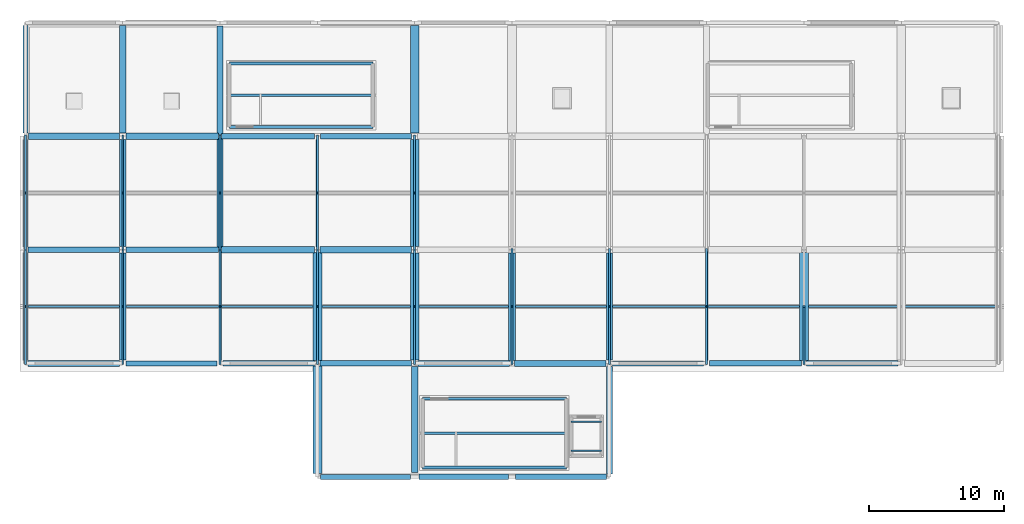
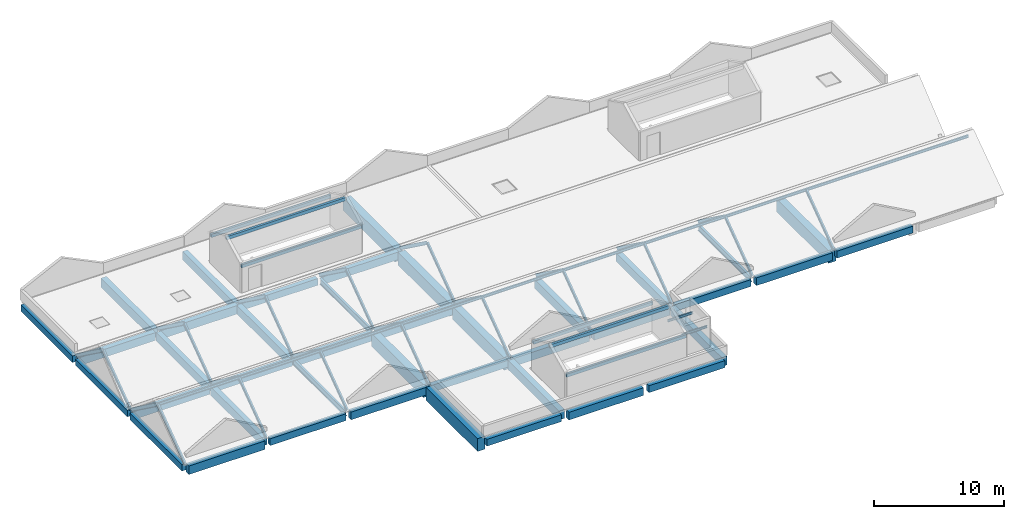
# One storey, part 1 of 5: 49 beams, 28 members.
"""IFC4 building model written with IfcOpenShell, lengths in metres."""

from ifc_helpers import new_model, si_unit, direction, frame, origin, origin_2d, place, context, subcontext, project, spatial, rectangle, i_section, extrude, material, material_profile, profile_set, type_object, element, save


model = new_model("IFC4")

# Units and contexts
model_context = context("Model", 3, precision=1e-05, world=origin(), true_north=direction((0.0, 1.0)))
body_context = subcontext(model_context, "Body", "Model", "MODEL_VIEW")
ifc_project = project(units=[si_unit("LENGTHUNIT", "METRE"), si_unit("AREAUNIT", "SQUARE_METRE"), si_unit("VOLUMEUNIT", "CUBIC_METRE"), si_unit("PLANEANGLEUNIT", "RADIAN"), si_unit("MASSUNIT", "GRAM", prefix="KILO")], contexts=[model_context])

# Site, building, storey
site_placement = place(None, origin())
site = spatial("IfcSite", under=ifc_project, at=site_placement, CompositionType="ELEMENT")
building_placement = place(site_placement, origin())
building = spatial("IfcBuilding", under=site, at=building_placement, Name="Kalluvel Institute of Natural Sciences", CompositionType="ELEMENT")
storey_placement = place(building_placement, frame((0.0, 0.0, 41.39990234375)))
storey = spatial("IfcBuildingStorey", under=building, at=storey_placement, Name="RF", CompositionType="ELEMENT", Elevation=41.39990234375)

# Beams
ifc_material_1 = material(Name="Steel E350 Grade 350", Category="steel")
ifc_material_profile_1 = material_profile(ifc_material_1, i_section(OverallWidth=0.110107421875, OverallDepth=0.22509765625, WebThickness=0.006591796875, FlangeThickness=0.01171875, FilletRadius=0.011962890625, at=origin_2d()), Name="ISMB 225")
ifc_profile_set_1 = profile_set([ifc_material_profile_1], Name="Steel E350 Grade 350")
beam_type_1 = type_object("IfcBeamType", Name="BM-ISMB225", PredefinedType="BEAM", material=ifc_profile_set_1)
for number, where, z_axis, x_axis, name in (
    (1, (54.3701171875, 96.320068359375, 1.737548828125), (1.0, 0.0, 0.0), (0.0, 1.0, 0.0), "LF8 overrun cap support beam S"),
    (2, (54.3701171875, 98.47998046875, 1.737548828125), (1.0, 0.0, 0.0), (0.0, 1.0, 0.0), "LF8 overrun cap support beam N"),
):
    element("IfcBeam", number, at=place(storey_placement, frame(where, z_axis=z_axis, x_axis=x_axis)), inside=storey, type_object=beam_type_1, Name=name, PredefinedType="BEAM", context=body_context, shape_type="SweptSolid", body=[
        extrude(i_section(OverallWidth=0.110107421875, OverallDepth=0.22509765625, WebThickness=0.006591796875, FlangeThickness=0.01171875, FilletRadius=0.011962890625, at=origin_2d()), origin(), (0.0, 0.0, 1.0), 2.259765625),
    ])
ifc_material_profile_2 = material_profile(ifc_material_1, i_section(OverallWidth=0.18994140625, OverallDepth=0.550048828125, WebThickness=0.01123046875, FlangeThickness=0.019287109375, FilletRadius=0.01806640625, at=origin_2d()), Name="ISMB 550")
ifc_profile_set_2 = profile_set([ifc_material_profile_2], Name="Steel E350 Grade 350")
beam_type_2 = type_object("IfcBeamType", Name="BM-ISMB550", PredefinedType="BEAM", material=ifc_profile_set_2)
beam_1_placement = place(storey_placement, frame((28.39990234375, 103.02490234375, -0.594970703125), z_axis=(0.0, 1.0, 0.0), x_axis=(-1.0, 0.0, 0.0)))
element("IfcBeam", 3, at=beam_1_placement, inside=storey, type_object=beam_type_2, Name="RF girder GIR-RF-NS-X284-Y1028", PredefinedType="BEAM", context=body_context, shape_type="SweptSolid", body=[
    extrude(i_section(OverallWidth=0.18994140625, OverallDepth=0.550048828125, WebThickness=0.01123046875, FlangeThickness=0.019287109375, FilletRadius=0.01806640625, at=origin_2d()), origin(), (0.0, 0.0, 1.0), 8.050048828125),
])
beam_2_placement = place(storey_placement, frame((35.60009765625, 111.39990234375, -0.594970703125), z_axis=(0.0, 1.0, 0.0), x_axis=(-1.0, 0.0, 0.0)))
element("IfcBeam", 4, at=beam_2_placement, inside=storey, type_object=beam_type_2, Name="RF girder GIR-RF-NS-X356-Y1112", PredefinedType="BEAM", context=body_context, shape_type="SweptSolid", body=[
    extrude(i_section(OverallWidth=0.18994140625, OverallDepth=0.550048828125, WebThickness=0.01123046875, FlangeThickness=0.019287109375, FilletRadius=0.01806640625, at=origin_2d()), origin(), (0.0, 0.0, 1.0), 7.97509765625),
])
beam_3_placement = place(storey_placement, frame((64.39990234375, 103.02490234375, -0.594970703125), z_axis=(0.0, 1.0, 0.0), x_axis=(-1.0, 0.0, 0.0)))
element("IfcBeam", 5, at=beam_3_placement, inside=storey, type_object=beam_type_2, Name="RF girder GIR-RF-NS-X644-Y1028", PredefinedType="BEAM", context=body_context, shape_type="SweptSolid", body=[
    extrude(i_section(OverallWidth=0.18994140625, OverallDepth=0.550048828125, WebThickness=0.01123046875, FlangeThickness=0.019287109375, FilletRadius=0.01806640625, at=origin_2d()), origin(), (0.0, 0.0, 1.0), 8.050048828125),
])
ifc_material_2 = material(Name="Concrete M40", Category="concrete")
ifc_material_profile_3 = material_profile(ifc_material_2, rectangle(XDim=0.3798828125, YDim=0.639892578125, at=origin_2d()), Name="RCB 380x640")
ifc_profile_set_3 = profile_set([ifc_material_profile_3], Name="Concrete M40")
beam_type_3 = type_object("IfcBeamType", Name="BM-RC380x640", PredefinedType="BEAM", material=ifc_profile_set_3)
beam_4_placement = place(storey_placement, frame((35.85009765625, 94.39990234375, -0.639892578125), z_axis=(1.0, 0.0, 0.0), x_axis=(0.0, 1.0, 0.0)))
element("IfcBeam", 6, at=beam_4_placement, inside=storey, type_object=beam_type_3, Name="RF girder GIR-RF-EW-X356-Y944", PredefinedType="BEAM", context=body_context, shape_type="SweptSolid", body=[
    extrude(rectangle(XDim=0.3798828125, YDim=0.639892578125, at=origin_2d()), origin(), (0.0, 0.0, 1.0), 6.625),
])
for number, where, z_axis, x_axis, name in (
    (7, (21.449951171875, 102.800048828125, -0.639892578125), (1.0, 0.0, 0.0), (0.0, 1.0, 0.0), "RF girder GIR-RF-EW-X212-Y1028"),
    (8, (57.449951171875, 102.800048828125, -0.639892578125), (1.0, 0.0, 0.0), (0.0, 1.0, 0.0), "RF girder GIR-RF-EW-X572-Y1028"),
):
    element("IfcBeam", number, at=place(storey_placement, frame(where, z_axis=z_axis, x_axis=x_axis)), inside=storey, type_object=beam_type_3, Name=name, PredefinedType="BEAM", context=body_context, shape_type="SweptSolid", body=[
        extrude(rectangle(XDim=0.3798828125, YDim=0.639892578125, at=origin_2d()), origin(), (0.0, 0.0, 1.0), 6.72509765625),
    ])
beam_5_placement = place(storey_placement, frame((28.52490234375, 119.60009765625, -0.639892578125), z_axis=(1.0, 0.0, 0.0), x_axis=(0.0, 1.0, 0.0)))
element("IfcBeam", 9, at=beam_5_placement, inside=storey, type_object=beam_type_3, Name="RF girder GIR-RF-EW-X284-Y1196", PredefinedType="BEAM", context=body_context, shape_type="SweptSolid", body=[
    extrude(rectangle(XDim=0.3798828125, YDim=0.639892578125, at=origin_2d()), origin(), (0.0, 0.0, 1.0), 6.85009765625),
])
ifc_material_profile_4 = material_profile(ifc_material_2, rectangle(XDim=0.39990234375, YDim=0.64990234375, at=origin_2d()), Name="RCB 400x650")
ifc_profile_set_4 = profile_set([ifc_material_profile_4], Name="Concrete M40")
beam_type_4 = type_object("IfcBeamType", Name="BM-RC400x650", PredefinedType="BEAM", material=ifc_profile_set_4)
beam_6_placement = place(storey_placement, frame((50.25, 94.39990234375, -0.64501953125), z_axis=(1.0, 0.0, 0.0), x_axis=(0.0, 1.0, 0.0)))
element("IfcBeam", 10, at=beam_6_placement, inside=storey, type_object=beam_type_4, Name="RF girder GIR-RF-EW-X500-Y944", PredefinedType="BEAM", context=body_context, shape_type="SweptSolid", body=[
    extrude(rectangle(XDim=0.39990234375, YDim=0.64990234375, at=origin_2d()), origin(), (0.0, 0.0, 1.0), 6.72509765625),
])
for number, where, z_axis, x_axis, name in (
    (11, (35.800048828125, 102.800048828125, -0.64501953125), (1.0, 0.0, 0.0), (0.0, 1.0, 0.0), "RF girder GIR-RF-EW-X356-Y1028"),
    (12, (71.800048828125, 102.800048828125, -0.64501953125), (1.0, 0.0, 0.0), (0.0, 1.0, 0.0), "RF girder GIR-RF-EW-X716-Y1028"),
):
    element("IfcBeam", number, at=place(storey_placement, frame(where, z_axis=z_axis, x_axis=x_axis)), inside=storey, type_object=beam_type_4, Name=name, PredefinedType="BEAM", context=body_context, shape_type="SweptSolid", body=[
        extrude(rectangle(XDim=0.39990234375, YDim=0.64990234375, at=origin_2d()), origin(), (0.0, 0.0, 1.0), 6.75),
    ])
beam_7_placement = place(storey_placement, frame((21.449951171875, 111.199951171875, -0.64501953125), z_axis=(1.0, 0.0, 0.0), x_axis=(0.0, 1.0, 0.0)))
element("IfcBeam", 13, at=beam_7_placement, inside=storey, type_object=beam_type_4, Name="RF girder GIR-RF-EW-X212-Y1112", PredefinedType="BEAM", context=body_context, shape_type="SweptSolid", body=[
    extrude(rectangle(XDim=0.39990234375, YDim=0.64990234375, at=origin_2d()), origin(), (0.0, 0.0, 1.0), 6.824951171875),
])
ifc_material_profile_5 = material_profile(ifc_material_2, rectangle(XDim=0.419921875, YDim=0.719970703125, at=origin_2d()), Name="RCB 420x720")
ifc_profile_set_5 = profile_set([ifc_material_profile_5], Name="Concrete M40")
beam_type_5 = type_object("IfcBeamType", Name="BM-RC420x720", PredefinedType="BEAM", material=ifc_profile_set_5)
beam_8_placement = place(storey_placement, frame((43.125, 94.39990234375, -0.679931640625), z_axis=(1.0, 0.0, 0.0), x_axis=(0.0, 1.0, 0.0)))
element("IfcBeam", 14, at=beam_8_placement, inside=storey, type_object=beam_type_5, Name="RF girder GIR-RF-EW-X428-Y944", PredefinedType="BEAM", context=body_context, shape_type="SweptSolid", body=[
    extrude(rectangle(XDim=0.419921875, YDim=0.719970703125, at=origin_2d()), origin(), (0.0, 0.0, 1.0), 6.625),
])
for number, where, z_axis, x_axis, name in (
    (15, (28.625, 102.800048828125, -0.679931640625), (1.0, 0.0, 0.0), (0.0, 1.0, 0.0), "RF girder GIR-RF-EW-X284-Y1028"),
    (16, (64.625, 102.800048828125, -0.679931640625), (1.0, 0.0, 0.0), (0.0, 1.0, 0.0), "RF girder GIR-RF-EW-X644-Y1028"),
):
    element("IfcBeam", number, at=place(storey_placement, frame(where, z_axis=z_axis, x_axis=x_axis)), inside=storey, type_object=beam_type_5, Name=name, PredefinedType="BEAM", context=body_context, shape_type="SweptSolid", body=[
        extrude(rectangle(XDim=0.419921875, YDim=0.719970703125, at=origin_2d()), origin(), (0.0, 0.0, 1.0), 6.77490234375),
    ])
for number, where, z_axis, x_axis, name in (
    (17, (14.199951171875, 111.199951171875, -0.679931640625), (1.0, 0.0, 0.0), (0.0, 1.0, 0.0), "RF girder GIR-RF-EW-X140-Y1112"),
    (18, (35.824951171875, 119.60009765625, -0.679931640625), (1.0, 0.0, 0.0), (0.0, 1.0, 0.0), "RF girder GIR-RF-EW-X356-Y1196"),
):
    element("IfcBeam", number, at=place(storey_placement, frame(where, z_axis=z_axis, x_axis=x_axis)), inside=storey, type_object=beam_type_5, Name=name, PredefinedType="BEAM", context=body_context, shape_type="SweptSolid", body=[
        extrude(rectangle(XDim=0.419921875, YDim=0.719970703125, at=origin_2d()), origin(), (0.0, 0.0, 1.0), 6.75),
    ])
ifc_material_profile_6 = material_profile(ifc_material_2, rectangle(XDim=0.449951171875, YDim=0.75, at=origin_2d()), Name="RCB 450x750")
ifc_profile_set_6 = profile_set([ifc_material_profile_6], Name="Concrete M40")
beam_type_6 = type_object("IfcBeamType", Name="BM-RC450x750", PredefinedType="BEAM", material=ifc_profile_set_6)
beam_9_placement = place(storey_placement, frame((43.050048828125, 102.800048828125, -0.69482421875), z_axis=(1.0, 0.0, 0.0), x_axis=(0.0, 1.0, 0.0)))
element("IfcBeam", 19, at=beam_9_placement, inside=storey, type_object=beam_type_6, Name="RF girder GIR-RF-EW-X428-Y1028", PredefinedType="BEAM", context=body_context, shape_type="SweptSolid", body=[
    extrude(rectangle(XDim=0.449951171875, YDim=0.75, at=origin_2d()), origin(), (0.0, 0.0, 1.0), 6.75),
])
beam_10_placement = place(storey_placement, frame((28.52490234375, 111.199951171875, -0.69482421875), z_axis=(1.0, 0.0, 0.0), x_axis=(0.0, 1.0, 0.0)))
element("IfcBeam", 20, at=beam_10_placement, inside=storey, type_object=beam_type_6, Name="RF girder GIR-RF-EW-X284-Y1112", PredefinedType="BEAM", context=body_context, shape_type="SweptSolid", body=[
    extrude(rectangle(XDim=0.449951171875, YDim=0.75, at=origin_2d()), origin(), (0.0, 0.0, 1.0), 6.875),
])
beam_11_placement = place(storey_placement, frame((14.22509765625, 119.60009765625, -0.69482421875), z_axis=(1.0, 0.0, 0.0), x_axis=(0.0, 1.0, 0.0)))
element("IfcBeam", 21, at=beam_11_placement, inside=storey, type_object=beam_type_6, Name="RF girder GIR-RF-EW-X140-Y1196", PredefinedType="BEAM", context=body_context, shape_type="SweptSolid", body=[
    extrude(rectangle(XDim=0.449951171875, YDim=0.75, at=origin_2d()), origin(), (0.0, 0.0, 1.0), 6.724853515625),
])
ifc_material_profile_7 = material_profile(ifc_material_2, rectangle(XDim=0.449951171875, YDim=0.800048828125, at=origin_2d()), Name="RCB 450x800")
ifc_profile_set_7 = profile_set([ifc_material_profile_7], Name="Concrete M40")
beam_type_7 = type_object("IfcBeamType", Name="BM-RC450x800", PredefinedType="BEAM", material=ifc_profile_set_7)
for number, where, z_axis, x_axis, name in (
    (22, (14.199951171875, 102.800048828125, -0.719970703125), (1.0, 0.0, 0.0), (0.0, 1.0, 0.0), "RF girder GIR-RF-EW-X140-Y1028"),
    (23, (50.199951171875, 102.800048828125, -0.719970703125), (1.0, 0.0, 0.0), (0.0, 1.0, 0.0), "RF girder GIR-RF-EW-X500-Y1028"),
):
    element("IfcBeam", number, at=place(storey_placement, frame(where, z_axis=z_axis, x_axis=x_axis)), inside=storey, type_object=beam_type_7, Name=name, PredefinedType="BEAM", context=body_context, shape_type="SweptSolid", body=[
        extrude(rectangle(XDim=0.449951171875, YDim=0.800048828125, at=origin_2d()), origin(), (0.0, 0.0, 1.0), 6.75),
    ])
beam_12_placement = place(storey_placement, frame((35.800048828125, 111.199951171875, -0.719970703125), z_axis=(1.0, 0.0, 0.0), x_axis=(0.0, 1.0, 0.0)))
element("IfcBeam", 24, at=beam_12_placement, inside=storey, type_object=beam_type_7, Name="RF girder GIR-RF-EW-X356-Y1112", PredefinedType="BEAM", context=body_context, shape_type="SweptSolid", body=[
    extrude(rectangle(XDim=0.449951171875, YDim=0.800048828125, at=origin_2d()), origin(), (0.0, 0.0, 1.0), 6.77490234375),
])
beam_13_placement = place(storey_placement, frame((21.449951171875, 119.60009765625, -0.719970703125), z_axis=(1.0, 0.0, 0.0), x_axis=(0.0, 1.0, 0.0)))
element("IfcBeam", 25, at=beam_13_placement, inside=storey, type_object=beam_type_7, Name="RF girder GIR-RF-EW-X212-Y1196", PredefinedType="BEAM", context=body_context, shape_type="SweptSolid", body=[
    extrude(rectangle(XDim=0.449951171875, YDim=0.800048828125, at=origin_2d()), origin(), (0.0, 0.0, 1.0), 6.824951171875),
])
beam_14_placement = place(storey_placement, frame((21.199951171875, 103.050048828125, -0.719970703125), z_axis=(0.0, 1.0, 0.0), x_axis=(-1.0, 0.0, 0.0)))
element("IfcBeam", 26, at=beam_14_placement, inside=storey, type_object=beam_type_7, Name="RF girder GIR-RF-NS-X212-Y1028", PredefinedType="BEAM", context=body_context, shape_type="SweptSolid", body=[
    extrude(rectangle(XDim=0.449951171875, YDim=0.800048828125, at=origin_2d()), origin(), (0.0, 0.0, 1.0), 7.89990234375),
])
beam_15_placement = place(storey_placement, frame((21.199951171875, 111.449951171875, -0.719970703125), z_axis=(0.0, 1.0, 0.0), x_axis=(-1.0, 0.0, 0.0)))
element("IfcBeam", 27, at=beam_15_placement, inside=storey, type_object=beam_type_7, Name="RF girder GIR-RF-NS-X212-Y1112", PredefinedType="BEAM", context=body_context, shape_type="SweptSolid", body=[
    extrude(rectangle(XDim=0.449951171875, YDim=0.800048828125, at=origin_2d()), origin(), (0.0, 0.0, 1.0), 7.900146484375),
])
beam_16_placement = place(storey_placement, frame((28.39990234375, 111.324951171875, -0.719970703125), z_axis=(0.0, 1.0, 0.0), x_axis=(-1.0, 0.0, 0.0)))
element("IfcBeam", 28, at=beam_16_placement, inside=storey, type_object=beam_type_7, Name="RF girder GIR-RF-NS-X284-Y1112", PredefinedType="BEAM", context=body_context, shape_type="SweptSolid", body=[
    extrude(rectangle(XDim=0.449951171875, YDim=0.800048828125, at=origin_2d()), origin(), (0.0, 0.0, 1.0), 8.150146484375),
])
beam_17_placement = place(storey_placement, frame((28.39990234375, 119.72509765625, -0.719970703125), z_axis=(0.0, 1.0, 0.0), x_axis=(-1.0, 0.0, 0.0)))
element("IfcBeam", 29, at=beam_17_placement, inside=storey, type_object=beam_type_7, Name="RF girder GIR-RF-NS-X284-Y1196", PredefinedType="BEAM", context=body_context, shape_type="SweptSolid", body=[
    extrude(rectangle(XDim=0.449951171875, YDim=0.800048828125, at=origin_2d()), origin(), (0.0, 0.0, 1.0), 8.02490234375),
])
beam_18_placement = place(storey_placement, frame((57.199951171875, 94.625, -0.719970703125), z_axis=(0.0, 1.0, 0.0), x_axis=(-1.0, 0.0, 0.0)))
element("IfcBeam", 30, at=beam_18_placement, inside=storey, type_object=beam_type_7, Name="RF girder GIR-RF-NS-X572-Y944", PredefinedType="BEAM", context=body_context, shape_type="SweptSolid", body=[
    extrude(rectangle(XDim=0.449951171875, YDim=0.800048828125, at=origin_2d()), origin(), (0.0, 0.0, 1.0), 7.925048828125),
])
beam_19_placement = place(storey_placement, frame((57.199951171875, 103.050048828125, -0.719970703125), z_axis=(0.0, 1.0, 0.0), x_axis=(-1.0, 0.0, 0.0)))
element("IfcBeam", 31, at=beam_19_placement, inside=storey, type_object=beam_type_7, Name="RF girder GIR-RF-NS-X572-Y1028", PredefinedType="BEAM", context=body_context, shape_type="SweptSolid", body=[
    extrude(rectangle(XDim=0.449951171875, YDim=0.800048828125, at=origin_2d()), origin(), (0.0, 0.0, 1.0), 7.89990234375),
])
ifc_material_3 = material(Name="Concrete M50", Category="concrete")
ifc_material_profile_8 = material_profile(ifc_material_3, rectangle(XDim=0.5, YDim=0.85009765625, at=origin_2d()), Name="RCB 500x850")
ifc_profile_set_8 = profile_set([ifc_material_profile_8], Name="Concrete M50")
beam_type_8 = type_object("IfcBeamType", Name="BM-RC500x850", PredefinedType="BEAM", material=ifc_profile_set_8)
beam_20_placement = place(storey_placement, frame((21.199951171875, 119.85009765625, -0.744873046875), z_axis=(0.0, 1.0, 0.0), x_axis=(-1.0, 0.0, 0.0)))
element("IfcBeam", 32, at=beam_20_placement, inside=storey, type_object=beam_type_8, Name="RF girder GIR-RF-NS-X212-Y1196", PredefinedType="BEAM", context=body_context, shape_type="SweptSolid", body=[
    extrude(rectangle(XDim=0.5, YDim=0.85009765625, at=origin_2d()), origin(), (0.0, 0.0, 1.0), 7.949951171875),
])
beam_21_placement = place(storey_placement, frame((42.800048828125, 94.72509765625, -0.744873046875), z_axis=(0.0, 1.0, 0.0), x_axis=(-1.0, 0.0, 0.0)))
element("IfcBeam", 33, at=beam_21_placement, inside=storey, type_object=beam_type_8, Name="RF girder GIR-RF-NS-X428-Y944", PredefinedType="BEAM", context=body_context, shape_type="SweptSolid", body=[
    extrude(rectangle(XDim=0.5, YDim=0.85009765625, at=origin_2d()), origin(), (0.0, 0.0, 1.0), 7.824951171875),
])
beam_22_placement = place(storey_placement, frame((50.0, 103.0, -0.744873046875), z_axis=(0.0, 1.0, 0.0), x_axis=(-1.0, 0.0, 0.0)))
element("IfcBeam", 34, at=beam_22_placement, inside=storey, type_object=beam_type_8, Name="RF girder GIR-RF-NS-X500-Y1028", PredefinedType="BEAM", context=body_context, shape_type="SweptSolid", body=[
    extrude(rectangle(XDim=0.5, YDim=0.85009765625, at=origin_2d()), origin(), (0.0, 0.0, 1.0), 7.97509765625),
])
ifc_material_profile_9 = material_profile(ifc_material_3, rectangle(XDim=0.64990234375, YDim=1.199951171875, at=origin_2d()), Name="RCB 650x1200")
ifc_profile_set_9 = profile_set([ifc_material_profile_9], Name="Concrete M50")
beam_type_9 = type_object("IfcBeamType", Name="BM-RC650x1200", PredefinedType="BEAM", material=ifc_profile_set_9)
beam_23_placement = place(storey_placement, frame((35.60009765625, 94.64990234375, -0.919921875), z_axis=(0.0, 1.0, 0.0), x_axis=(-1.0, 0.0, 0.0)))
element("IfcBeam", 35, at=beam_23_placement, inside=storey, type_object=beam_type_9, Name="RF girder GIR-RF-NS-X356-Y944", PredefinedType="BEAM", context=body_context, shape_type="SweptSolid", body=[
    extrude(rectangle(XDim=0.64990234375, YDim=1.199951171875, at=origin_2d()), origin(), (0.0, 0.0, 1.0), 7.9501953125),
])
beam_24_placement = place(storey_placement, frame((35.60009765625, 103.0, -0.919921875), z_axis=(0.0, 1.0, 0.0), x_axis=(-1.0, 0.0, 0.0)))
element("IfcBeam", 36, at=beam_24_placement, inside=storey, type_object=beam_type_9, Name="RF girder GIR-RF-NS-X356-Y1028", PredefinedType="BEAM", context=body_context, shape_type="SweptSolid", body=[
    extrude(rectangle(XDim=0.64990234375, YDim=1.199951171875, at=origin_2d()), origin(), (0.0, 0.0, 1.0), 8.0),
])
beam_25_placement = place(storey_placement, frame((42.800048828125, 103.050048828125, -0.919921875), z_axis=(0.0, 1.0, 0.0), x_axis=(-1.0, 0.0, 0.0)))
element("IfcBeam", 37, at=beam_25_placement, inside=storey, type_object=beam_type_9, Name="RF girder GIR-RF-NS-X428-Y1028", PredefinedType="BEAM", context=body_context, shape_type="SweptSolid", body=[
    extrude(rectangle(XDim=0.64990234375, YDim=1.199951171875, at=origin_2d()), origin(), (0.0, 0.0, 1.0), 7.925048828125),
])
beam_26_placement = place(storey_placement, frame((42.800048828125, 111.425048828125, -0.919921875), z_axis=(0.0, 1.0, 0.0), x_axis=(-1.0, 0.0, 0.0)))
element("IfcBeam", 38, at=beam_26_placement, inside=storey, type_object=beam_type_9, Name="RF girder GIR-RF-NS-X428-Y1112", PredefinedType="BEAM", context=body_context, shape_type="SweptSolid", body=[
    extrude(rectangle(XDim=0.64990234375, YDim=1.199951171875, at=origin_2d()), origin(), (0.0, 0.0, 1.0), 7.949951171875),
])
beam_27_placement = place(storey_placement, frame((42.800048828125, 119.824951171875, -0.919921875), z_axis=(0.0, 1.0, 0.0), x_axis=(-1.0, 0.0, 0.0)))
element("IfcBeam", 39, at=beam_27_placement, inside=storey, type_object=beam_type_9, Name="RF girder GIR-RF-NS-X428-Y1196", PredefinedType="BEAM", context=body_context, shape_type="SweptSolid", body=[
    extrude(rectangle(XDim=0.64990234375, YDim=1.199951171875, at=origin_2d()), origin(), (0.0, 0.0, 1.0), 7.97509765625),
])
beam_28_placement = place(storey_placement, frame((71.60009765625, 103.0, -0.919921875), z_axis=(0.0, 1.0, 0.0), x_axis=(-1.0, 0.0, 0.0)))
element("IfcBeam", 40, at=beam_28_placement, inside=storey, type_object=beam_type_9, Name="RF girder GIR-RF-NS-X716-Y1028", PredefinedType="BEAM", context=body_context, shape_type="SweptSolid", body=[
    extrude(rectangle(XDim=0.64990234375, YDim=1.199951171875, at=origin_2d()), origin(), (0.0, 0.0, 1.0), 8.0),
])
ifc_material_4 = material(Name="Sadarahalli Granite Precast Concrete M45", Category="masonry")
ifc_material_profile_10 = material_profile(ifc_material_4, rectangle(XDim=0.199951171875, YDim=0.300048828125, at=origin_2d()), Name="LIN 200x300")
ifc_profile_set_10 = profile_set([ifc_material_profile_10], Name="Sadarahalli Granite Precast Concrete M45")
beam_type_10 = type_object("IfcBeamType", Name="LN-200x300-INT", PredefinedType="LINTEL", material=ifc_profile_set_10)
for number, where, z_axis, x_axis, name in (
    (41, (29.0849609375, 122.635009765625, 3.739990234375), (1.0, 0.0, 0.0), (0.0, 1.0, 0.0), "ST1 headhouse ridge beam"),
    (42, (29.0849609375, 120.284912109375, 2.5400390625), (1.0, 0.0, 0.0), (0.0, 1.0, 0.0), "ST1 headhouse S eave beam"),
    (43, (29.0849609375, 124.985107421875, 2.5400390625), (1.0, 0.0, 0.0), (0.0, 1.0, 0.0), "ST1 headhouse N eave beam"),
):
    element("IfcBeam", number, at=place(storey_placement, frame(where, z_axis=z_axis, x_axis=x_axis)), inside=storey, type_object=beam_type_10, Name=name, PredefinedType="LINTEL", context=body_context, shape_type="SweptSolid", body=[
        extrude(rectangle(XDim=0.199951171875, YDim=0.300048828125, at=origin_2d()), origin(), (0.0, 0.0, 1.0), 10.630126953125),
    ])
for number, where, z_axis, x_axis, name in (
    (44, (43.385009765625, 97.635009765625, 3.739990234375), (1.0, 0.0, 0.0), (0.0, 1.0, 0.0), "ST3 headhouse ridge beam"),
    (45, (43.385009765625, 95.0849609375, 2.5400390625), (1.0, 0.0, 0.0), (0.0, 1.0, 0.0), "ST3 headhouse S eave beam"),
    (46, (43.385009765625, 100.18505859375, 2.5400390625), (1.0, 0.0, 0.0), (0.0, 1.0, 0.0), "ST3 headhouse N eave beam"),
):
    element("IfcBeam", number, at=place(storey_placement, frame(where, z_axis=z_axis, x_axis=x_axis)), inside=storey, type_object=beam_type_10, Name=name, PredefinedType="LINTEL", context=body_context, shape_type="SweptSolid", body=[
        extrude(rectangle(XDim=0.199951171875, YDim=0.300048828125, at=origin_2d()), origin(), (0.0, 0.0, 1.0), 10.6298828125),
    ])

# Members
ifc_material_profile_11 = material_profile(ifc_material_1, i_section(OverallWidth=0.125, OverallDepth=0.25, WebThickness=0.0068359375, FlangeThickness=0.012451171875, FilletRadius=0.012939453125, at=origin_2d()), Name="ISMB 250")
ifc_profile_set_11 = profile_set([ifc_material_profile_11], Name="Steel E350 Grade 350")
member_type_1 = type_object("IfcMemberType", Name="MB-PURL-ATTIC", PredefinedType="PURLIN", material=ifc_profile_set_11)
member_1_placement = place(storey_placement, frame((14.0, 107.0, 2.8701171875), z_axis=(1.0, 0.0, 0.0), x_axis=(0.0, 1.0, 0.0)))
element("IfcMember", 47, at=member_1_placement, inside=storey, type_object=member_type_1, Name="Wet Wing Gothic roof ridge purlin 1", PredefinedType="PURLIN", context=body_context, shape_type="SweptSolid", body=[
    extrude(i_section(OverallWidth=0.125, OverallDepth=0.25, WebThickness=0.0068359375, FlangeThickness=0.012451171875, FilletRadius=0.012939453125, at=origin_2d()), origin(), (0.0, 0.0, 1.0), 72.0),
])
ifc_material_profile_12 = material_profile(ifc_material_1, i_section(OverallWidth=0.139892578125, OverallDepth=0.300048828125, WebThickness=0.0078125, FlangeThickness=0.01318359375, FilletRadius=0.013916015625, at=origin_2d()), Name="ISMB 300")
ifc_profile_set_12 = profile_set([ifc_material_profile_12], Name="Steel E350 Grade 350")
member_type_2 = type_object("IfcMemberType", Name="MB-RAFT-ISMB300", PredefinedType="RAFTER", material=ifc_profile_set_12)
for number, where, z_axis, x_axis, name in (
    (48, (14.0, 102.800048828125, -0.179931640625), (0.0, 0.809144712888, 0.587609422665), (-1.0, 0.0, 0.0), "Wet Wing Gothic roof south rafter 1.1"),
    (49, (14.0, 111.199951171875, -0.179931640625), (0.0, -0.809144712888, 0.587609422665), (1.0, 0.0, 0.0), "Wet Wing Gothic roof north rafter 1.1"),
    (50, (21.199951171875, 102.800048828125, -0.179931640625), (0.0, 0.809144712888, 0.587609422665), (-1.0, 0.0, 0.0), "Wet Wing Gothic roof south rafter 1.2"),
    (51, (21.199951171875, 111.199951171875, -0.179931640625), (0.0, -0.809144712888, 0.587609422665), (1.0, 0.0, 0.0), "Wet Wing Gothic roof north rafter 1.2"),
    (52, (28.39990234375, 102.800048828125, -0.179931640625), (0.0, 0.809144712888, 0.587609422665), (-1.0, 0.0, 0.0), "Wet Wing Gothic roof south rafter 1.3"),
    (53, (28.39990234375, 111.199951171875, -0.179931640625), (0.0, -0.809144712888, 0.587609422665), (1.0, 0.0, 0.0), "Wet Wing Gothic roof north rafter 1.3"),
    (54, (35.60009765625, 102.800048828125, -0.179931640625), (0.0, 0.809144712888, 0.587609422665), (-1.0, 0.0, 0.0), "Wet Wing Gothic roof south rafter 1.4"),
    (55, (35.60009765625, 111.199951171875, -0.179931640625), (0.0, -0.809144712888, 0.587609422665), (1.0, 0.0, 0.0), "Wet Wing Gothic roof north rafter 1.4"),
    (56, (42.800048828125, 102.800048828125, -0.179931640625), (0.0, 0.809144712888, 0.587609422665), (-1.0, 0.0, 0.0), "Wet Wing Gothic roof south rafter 1.5"),
    (57, (42.800048828125, 111.199951171875, -0.179931640625), (0.0, -0.809144712888, 0.587609422665), (1.0, 0.0, 0.0), "Wet Wing Gothic roof north rafter 1.5"),
    (58, (50.0, 102.800048828125, -0.179931640625), (0.0, 0.809144712888, 0.587609422665), (-1.0, 0.0, 0.0), "Wet Wing Gothic roof south rafter 1.6"),
    (59, (50.0, 111.199951171875, -0.179931640625), (0.0, -0.809144712888, 0.587609422665), (1.0, 0.0, 0.0), "Wet Wing Gothic roof north rafter 1.6"),
    (60, (57.199951171875, 102.800048828125, -0.179931640625), (0.0, 0.809144712888, 0.587609422665), (-1.0, 0.0, 0.0), "Wet Wing Gothic roof south rafter 1.7"),
    (61, (57.199951171875, 111.199951171875, -0.179931640625), (0.0, -0.809144712888, 0.587609422665), (1.0, 0.0, 0.0), "Wet Wing Gothic roof north rafter 1.7"),
    (62, (64.39990234375, 102.800048828125, -0.179931640625), (0.0, 0.809144712888, 0.587609422665), (-1.0, 0.0, 0.0), "Wet Wing Gothic roof south rafter 1.8"),
    (63, (64.39990234375, 111.199951171875, -0.179931640625), (0.0, -0.809144712888, 0.587609422665), (1.0, 0.0, 0.0), "Wet Wing Gothic roof north rafter 1.8"),
    (64, (71.60009765625, 102.800048828125, -0.179931640625), (0.0, 0.809144712888, 0.587609422665), (-1.0, 0.0, 0.0), "Wet Wing Gothic roof south rafter 1.9"),
    (65, (14.0, 111.199951171875, -0.179931640625), (0.0, 0.809144712888, 0.587609422665), (-1.0, 0.0, 0.0), "Wet Wing Gothic roof south rafter 2.1"),
):
    element("IfcMember", number, at=place(storey_placement, frame(where, z_axis=z_axis, x_axis=x_axis)), inside=storey, type_object=member_type_2, Name=name, PredefinedType="RAFTER", context=body_context, shape_type="SweptSolid", body=[
        extrude(i_section(OverallWidth=0.139892578125, OverallDepth=0.300048828125, WebThickness=0.0078125, FlangeThickness=0.01318359375, FilletRadius=0.013916015625, at=origin_2d()), origin(), (0.0, 0.0, 1.0), 5.190673828125),
    ])
member_2_placement = place(storey_placement, frame((14.0, 119.60009765625, -0.179931640625), z_axis=(0.0, -0.809160952466, 0.587587059937), x_axis=(1.0, 0.0, 0.0)))
element("IfcMember", 66, at=member_2_placement, inside=storey, type_object=member_type_2, Name="Wet Wing Gothic roof north rafter 2.1", PredefinedType="RAFTER", context=body_context, shape_type="SweptSolid", body=[
    extrude(i_section(OverallWidth=0.139892578125, OverallDepth=0.300048828125, WebThickness=0.0078125, FlangeThickness=0.01318359375, FilletRadius=0.013916015625, at=origin_2d()), origin(), (0.0, 0.0, 1.0), 5.19091796875),
])
member_3_placement = place(storey_placement, frame((21.199951171875, 111.199951171875, -0.179931640625), z_axis=(0.0, 0.809144712888, 0.587609422665), x_axis=(-1.0, 0.0, 0.0)))
element("IfcMember", 67, at=member_3_placement, inside=storey, type_object=member_type_2, Name="Wet Wing Gothic roof south rafter 2.2", PredefinedType="RAFTER", context=body_context, shape_type="SweptSolid", body=[
    extrude(i_section(OverallWidth=0.139892578125, OverallDepth=0.300048828125, WebThickness=0.0078125, FlangeThickness=0.01318359375, FilletRadius=0.013916015625, at=origin_2d()), origin(), (0.0, 0.0, 1.0), 5.190673828125),
])
member_4_placement = place(storey_placement, frame((21.199951171875, 119.60009765625, -0.179931640625), z_axis=(0.0, -0.809160952466, 0.587587059937), x_axis=(1.0, 0.0, 0.0)))
element("IfcMember", 68, at=member_4_placement, inside=storey, type_object=member_type_2, Name="Wet Wing Gothic roof north rafter 2.2", PredefinedType="RAFTER", context=body_context, shape_type="SweptSolid", body=[
    extrude(i_section(OverallWidth=0.139892578125, OverallDepth=0.300048828125, WebThickness=0.0078125, FlangeThickness=0.01318359375, FilletRadius=0.013916015625, at=origin_2d()), origin(), (0.0, 0.0, 1.0), 5.19091796875),
])
member_5_placement = place(storey_placement, frame((28.39990234375, 111.199951171875, -0.179931640625), z_axis=(0.0, 0.809144712888, 0.587609422665), x_axis=(-1.0, 0.0, 0.0)))
element("IfcMember", 69, at=member_5_placement, inside=storey, type_object=member_type_2, Name="Wet Wing Gothic roof south rafter 2.3", PredefinedType="RAFTER", context=body_context, shape_type="SweptSolid", body=[
    extrude(i_section(OverallWidth=0.139892578125, OverallDepth=0.300048828125, WebThickness=0.0078125, FlangeThickness=0.01318359375, FilletRadius=0.013916015625, at=origin_2d()), origin(), (0.0, 0.0, 1.0), 5.190673828125),
])
member_6_placement = place(storey_placement, frame((28.39990234375, 119.60009765625, -0.179931640625), z_axis=(0.0, -0.809160952466, 0.587587059937), x_axis=(1.0, 0.0, 0.0)))
element("IfcMember", 70, at=member_6_placement, inside=storey, type_object=member_type_2, Name="Wet Wing Gothic roof north rafter 2.3", PredefinedType="RAFTER", context=body_context, shape_type="SweptSolid", body=[
    extrude(i_section(OverallWidth=0.139892578125, OverallDepth=0.300048828125, WebThickness=0.0078125, FlangeThickness=0.01318359375, FilletRadius=0.013916015625, at=origin_2d()), origin(), (0.0, 0.0, 1.0), 5.19091796875),
])
member_7_placement = place(storey_placement, frame((35.60009765625, 111.199951171875, -0.179931640625), z_axis=(0.0, 0.809144712888, 0.587609422665), x_axis=(-1.0, 0.0, 0.0)))
element("IfcMember", 71, at=member_7_placement, inside=storey, type_object=member_type_2, Name="Wet Wing Gothic roof south rafter 2.4", PredefinedType="RAFTER", context=body_context, shape_type="SweptSolid", body=[
    extrude(i_section(OverallWidth=0.139892578125, OverallDepth=0.300048828125, WebThickness=0.0078125, FlangeThickness=0.01318359375, FilletRadius=0.013916015625, at=origin_2d()), origin(), (0.0, 0.0, 1.0), 5.190673828125),
])
member_8_placement = place(storey_placement, frame((35.60009765625, 119.60009765625, -0.179931640625), z_axis=(0.0, -0.809160952466, 0.587587059937), x_axis=(1.0, 0.0, 0.0)))
element("IfcMember", 72, at=member_8_placement, inside=storey, type_object=member_type_2, Name="Wet Wing Gothic roof north rafter 2.4", PredefinedType="RAFTER", context=body_context, shape_type="SweptSolid", body=[
    extrude(i_section(OverallWidth=0.139892578125, OverallDepth=0.300048828125, WebThickness=0.0078125, FlangeThickness=0.01318359375, FilletRadius=0.013916015625, at=origin_2d()), origin(), (0.0, 0.0, 1.0), 5.19091796875),
])
member_9_placement = place(storey_placement, frame((42.800048828125, 111.199951171875, -0.179931640625), z_axis=(0.0, 0.809144712888, 0.587609422665), x_axis=(-1.0, 0.0, 0.0)))
element("IfcMember", 73, at=member_9_placement, inside=storey, type_object=member_type_2, Name="Wet Wing Gothic roof south rafter 2.5", PredefinedType="RAFTER", context=body_context, shape_type="SweptSolid", body=[
    extrude(i_section(OverallWidth=0.139892578125, OverallDepth=0.300048828125, WebThickness=0.0078125, FlangeThickness=0.01318359375, FilletRadius=0.013916015625, at=origin_2d()), origin(), (0.0, 0.0, 1.0), 5.190673828125),
])
member_10_placement = place(storey_placement, frame((42.800048828125, 119.60009765625, -0.179931640625), z_axis=(0.0, -0.809160952466, 0.587587059937), x_axis=(1.0, 0.0, 0.0)))
element("IfcMember", 74, at=member_10_placement, inside=storey, type_object=member_type_2, Name="Wet Wing Gothic roof north rafter 2.5", PredefinedType="RAFTER", context=body_context, shape_type="SweptSolid", body=[
    extrude(i_section(OverallWidth=0.139892578125, OverallDepth=0.300048828125, WebThickness=0.0078125, FlangeThickness=0.01318359375, FilletRadius=0.013916015625, at=origin_2d()), origin(), (0.0, 0.0, 1.0), 5.19091796875),
])

# Beams
ifc_material_profile_13 = material_profile(ifc_material_2, rectangle(XDim=0.35009765625, YDim=0.60009765625, at=origin_2d()), Name="RCB 350x600")
ifc_profile_set_13 = profile_set([ifc_material_profile_13], Name="Concrete M40")
beam_type_11 = type_object("IfcBeamType", Name="SP-RC350x600", PredefinedType="SPANDREL", material=ifc_profile_set_13)
beam_29_placement = place(storey_placement, frame((14.0, 103.0, -0.619873046875), z_axis=(0.0, 1.0, 0.0), x_axis=(-1.0, 0.0, 0.0)))
element("IfcBeam", 75, at=beam_29_placement, inside=storey, type_object=beam_type_11, Name="RF girder GIR-RF-NS-X140-Y1028", PredefinedType="SPANDREL", context=body_context, shape_type="SweptSolid", body=[
    extrude(rectangle(XDim=0.35009765625, YDim=0.60009765625, at=origin_2d()), origin(), (0.0, 0.0, 1.0), 8.0),
])
beam_30_placement = place(storey_placement, frame((14.0, 111.39990234375, -0.619873046875), z_axis=(0.0, 1.0, 0.0), x_axis=(-1.0, 0.0, 0.0)))
element("IfcBeam", 76, at=beam_30_placement, inside=storey, type_object=beam_type_11, Name="RF girder GIR-RF-NS-X140-Y1112", PredefinedType="SPANDREL", context=body_context, shape_type="SweptSolid", body=[
    extrude(rectangle(XDim=0.35009765625, YDim=0.60009765625, at=origin_2d()), origin(), (0.0, 0.0, 1.0), 7.97509765625),
])
beam_31_placement = place(storey_placement, frame((14.0, 119.824951171875, -0.619873046875), z_axis=(0.0, 1.0, 0.0), x_axis=(-1.0, 0.0, 0.0)))
element("IfcBeam", 77, at=beam_31_placement, inside=storey, type_object=beam_type_11, Name="RF girder GIR-RF-NS-X140-Y1196", PredefinedType="SPANDREL", context=body_context, shape_type="SweptSolid", body=[
    extrude(rectangle(XDim=0.35009765625, YDim=0.60009765625, at=origin_2d()), origin(), (0.0, 0.0, 1.0), 7.949951171875),
])

save(model, "model.ifc")
